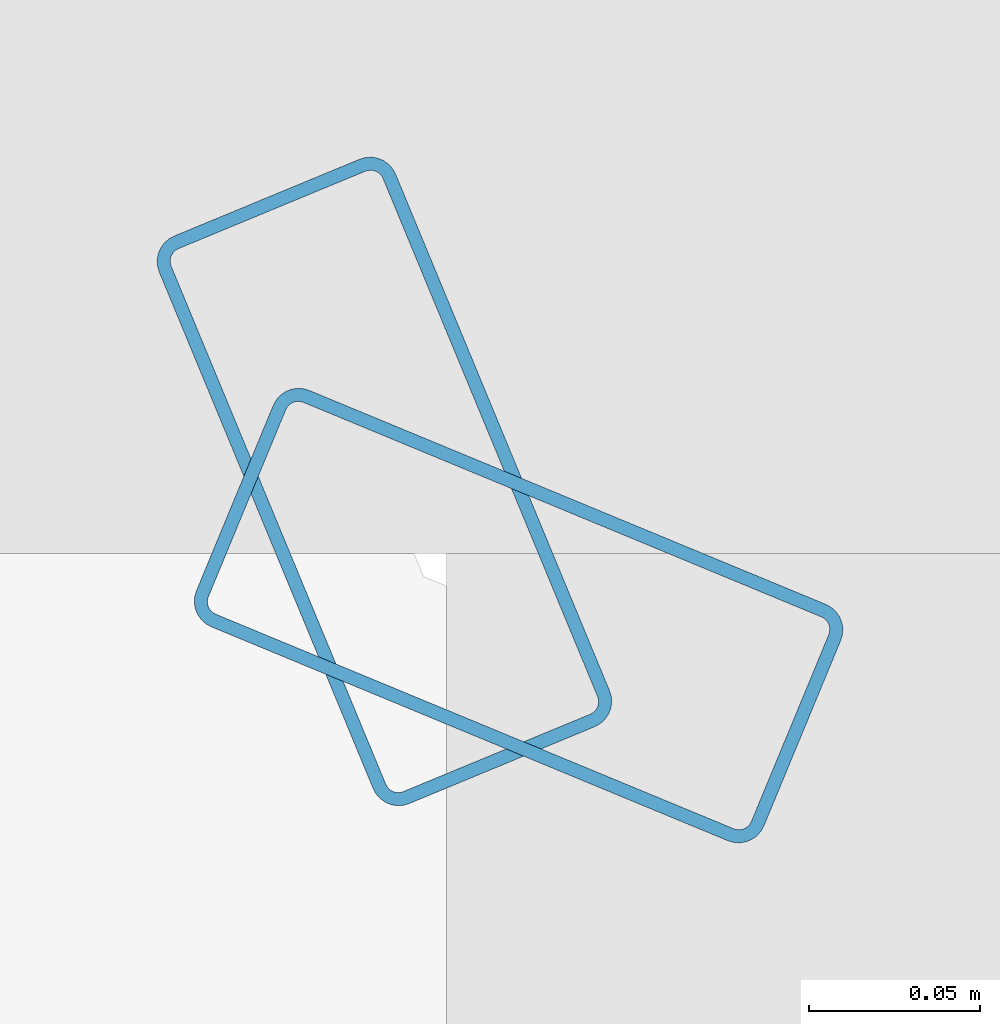
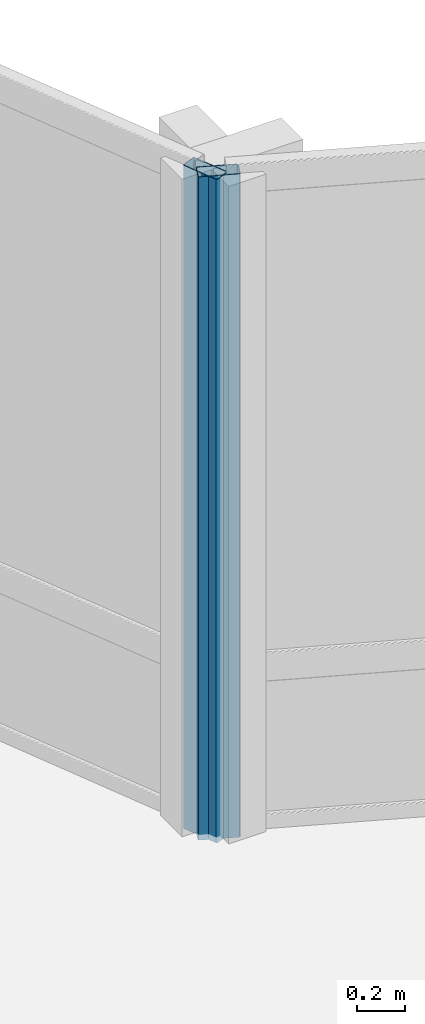
# One storey, part 8 of 35: 2 members, 2 elements without a shape of their own.
"""IFC4 building model written with IfcOpenShell, lengths in metres."""

from ifc_helpers import new_model, si_unit, direction, frame, origin, origin_2d, place, context, subcontext, project, spatial, hollow_rectangle, extrude, material, layer, layer_set, material_profile, profile_set, type_object, element, aggregate, save


model = new_model("IFC4")

# Units and contexts
model_context = context("Model", 3, precision=1e-05, world=origin(), true_north=direction((0.0, 1.0)))
body_context = subcontext(model_context, "Body", "Model", "MODEL_VIEW")
ifc_project = project(units=[si_unit("LENGTHUNIT", "METRE"), si_unit("AREAUNIT", "SQUARE_METRE"), si_unit("VOLUMEUNIT", "CUBIC_METRE"), si_unit("PLANEANGLEUNIT", "RADIAN"), si_unit("MASSUNIT", "GRAM", prefix="KILO")], contexts=[model_context])

# Site, building, storey
site_placement = place(None, origin())
site = spatial("IfcSite", under=ifc_project, at=site_placement, CompositionType="ELEMENT")
building_placement = place(site_placement, origin())
building = spatial("IfcBuilding", under=site, at=building_placement, Name="Solvaryn Broadcast Tower", CompositionType="ELEMENT")
storey_placement = place(building_placement, frame((0.0, 0.0, 80.39990234375)))
storey = spatial("IfcBuildingStorey", under=building, at=storey_placement, Name="L19", CompositionType="ELEMENT", Elevation=80.39990234375)

# Curtain wall, member
ifc_material_1 = material(Name="Aluminium and Terracotta Unitised Curtain Wall", Category="masonry")
ifc_layer = layer(ifc_material_1, 0.199951171875)
ifc_layer_set = layer_set([ifc_layer], Name="CW-SYS2-LOWMID")
curtain_wall_type = type_object("IfcCurtainWallType", Name="CW-SYS2-LOWMID", PredefinedType="NOTDEFINED", material=ifc_layer_set)
curtain_wall_1_placement = place(storey_placement, origin())
curtain_wall_1 = element("IfcCurtainWall", 1, at=curtain_wall_1_placement, inside=storey, type_object=curtain_wall_type, Name="L19 Curtain Wall CN1", PredefinedType="NOTDEFINED")
ifc_material_2 = material(Name="Anodised Aluminium 6063-T6", Category="aluminium")
ifc_material_profile = material_profile(ifc_material_2, hollow_rectangle(XDim=0.074951171875, YDim=0.179931640625, WallThickness=0.00390625, InnerFilletRadius=0.00390625, OuterFilletRadius=0.008056640625, at=origin_2d()))
ifc_profile_set = profile_set([ifc_material_profile], Name="Anodised Aluminium 6063-T6")
member_type = type_object("IfcMemberType", Name="CW-MUL-180", PredefinedType="MULLION", material=ifc_profile_set)
member_1_placement = place(storey_placement, frame((30.395751953125, 30.3564453125, 0.0), z_axis=(0.0, 0.0, 1.0), x_axis=(-0.382646127145, -0.923894983957, 0.0)))
member_1 = element("IfcMember", 2, at=member_1_placement, type_object=member_type, Name="CWS2 mullion 2", PredefinedType="MULLION", context=body_context, shape_type="SweptSolid", body=[
    extrude(hollow_rectangle(XDim=0.074951171875, YDim=0.179931640625, WallThickness=0.00390625, InnerFilletRadius=0.00390625, OuterFilletRadius=0.008056640625, at=origin_2d()), origin(), (0.0, 0.0, 1.0), 3.3701171875),
])
aggregate(curtain_wall_1, [member_1])

curtain_wall_2_placement = place(storey_placement, origin())
curtain_wall_2 = element("IfcCurtainWall", 3, at=curtain_wall_2_placement, inside=storey, type_object=curtain_wall_type, Name="L19 Curtain Wall CN2", PredefinedType="NOTDEFINED")
member_2_placement = place(storey_placement, frame((30.3564453125, 30.395751953125, 0.0), z_axis=(0.0, 0.0, 1.0), x_axis=(-0.923894983957, -0.382646127145, 0.0)))
member_2 = element("IfcMember", 4, at=member_2_placement, type_object=member_type, Name="CWS2 mullion 1", PredefinedType="MULLION", context=body_context, shape_type="SweptSolid", body=[
    extrude(hollow_rectangle(XDim=0.074951171875, YDim=0.179931640625, WallThickness=0.00390625, InnerFilletRadius=0.00390625, OuterFilletRadius=0.008056640625, at=origin_2d()), origin(), (0.0, 0.0, 1.0), 3.3701171875),
])
aggregate(curtain_wall_2, [member_2])

save(model, "model.ifc")
